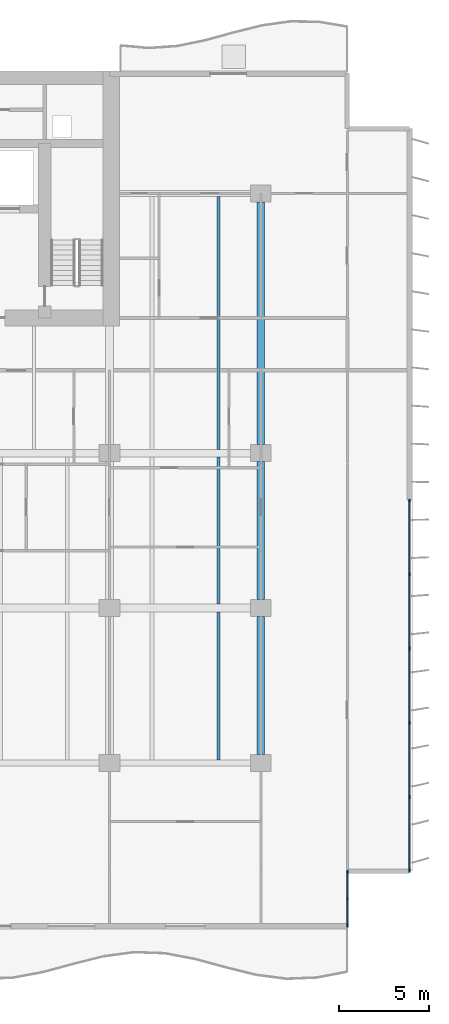
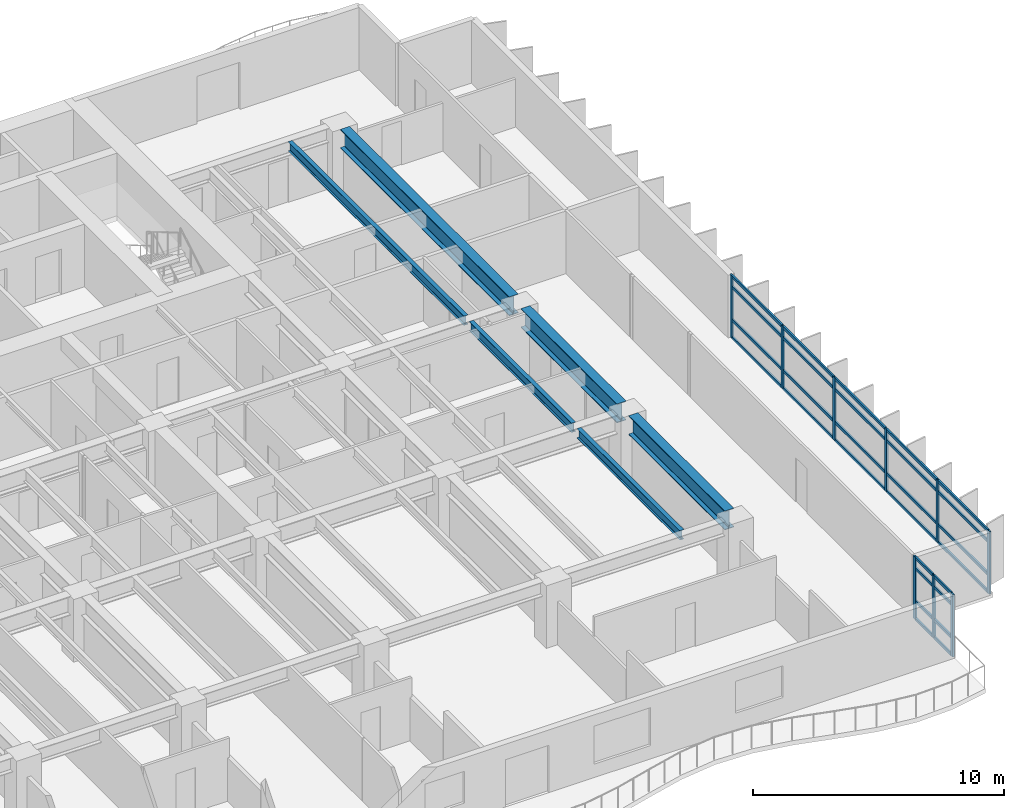
# One storey, part 4 of 18: 37 members, 6 beams, 2 elements without a shape of their own.
"""IFC4 building model written with IfcOpenShell, lengths in metres."""

from ifc_helpers import new_model, si_unit, direction, frame, origin, origin_2d, place, context, subcontext, project, spatial, rectangle, i_section, extrude, material, layer, layer_set, material_profile, profile_set, type_object, element, aggregate, save


model = new_model("IFC4")

# Units and contexts
model_context = context("Model", 3, precision=1e-05, world=origin(), true_north=direction((0.0, 1.0)))
body_context = subcontext(model_context, "Body", "Model", "MODEL_VIEW")
ifc_project = project(units=[si_unit("LENGTHUNIT", "METRE"), si_unit("AREAUNIT", "SQUARE_METRE"), si_unit("VOLUMEUNIT", "CUBIC_METRE"), si_unit("PLANEANGLEUNIT", "RADIAN"), si_unit("MASSUNIT", "GRAM", prefix="KILO")], contexts=[model_context])

# Site, building, storey
site_placement = place(None, origin())
site = spatial("IfcSite", under=ifc_project, at=site_placement, CompositionType="ELEMENT")
building_placement = place(site_placement, origin())
building = spatial("IfcBuilding", under=site, at=building_placement, Name="Caelmar Bay Residences", CompositionType="ELEMENT")
storey_placement = place(building_placement, frame((0.0, 0.0, 43.199951171875)))
storey = spatial("IfcBuildingStorey", under=building, at=storey_placement, Name="L10", CompositionType="ELEMENT", Elevation=43.199951171875)

# Beams
ifc_material_1 = material(Name="Steel ASTM A992 Grade 50", Category="steel")
ifc_material_profile_1 = material_profile(ifc_material_1, i_section(OverallWidth=0.422119140625, OverallDepth=0.925048828125, WebThickness=0.021240234375, FlangeThickness=0.03662109375, FilletRadius=0.020263671875, at=origin_2d()), Name="W36X262")
ifc_profile_set_1 = profile_set([ifc_material_profile_1], Name="Steel ASTM A992 Grade 50")
beam_type_1 = type_object("IfcBeamType", Name="BM-GRD-W36X262", PredefinedType="BEAM", material=ifc_profile_set_1)
beam_1_placement = place(storey_placement, frame((67.89990234375, 12.6650390625, 2.587646484375), z_axis=(0.0, 1.0, 0.0), x_axis=(-1.0, 0.0, 0.0)))
element("IfcBeam", 1, at=beam_1_placement, inside=storey, type_object=beam_type_1, Name="L10 North-South Girder X=67.90 (12.2-20.8)", PredefinedType="BEAM", context=body_context, shape_type="SweptSolid", body=[
    extrude(i_section(OverallWidth=0.422119140625, OverallDepth=0.925048828125, WebThickness=0.021240234375, FlangeThickness=0.03662109375, FilletRadius=0.020263671875, at=origin_2d()), origin(), (0.0, 0.0, 1.0), 7.669921875),
])
beam_2_placement = place(storey_placement, frame((67.89990234375, 21.264892578125, 2.587646484375), z_axis=(0.0, 1.0, 0.0), x_axis=(-1.0, 0.0, 0.0)))
element("IfcBeam", 2, at=beam_2_placement, inside=storey, type_object=beam_type_1, Name="L10 North-South Girder X=67.90 (20.8-29.4)", PredefinedType="BEAM", context=body_context, shape_type="SweptSolid", body=[
    extrude(i_section(OverallWidth=0.422119140625, OverallDepth=0.925048828125, WebThickness=0.021240234375, FlangeThickness=0.03662109375, FilletRadius=0.020263671875, at=origin_2d()), origin(), (0.0, 0.0, 1.0), 7.670166015625),
])
beam_3_placement = place(storey_placement, frame((67.89990234375, 29.864990234375, 2.587646484375), z_axis=(0.0, 1.0, 0.0), x_axis=(-1.0, 0.0, 0.0)))
element("IfcBeam", 3, at=beam_3_placement, inside=storey, type_object=beam_type_1, Name="L10 North-South Girder X=67.90 (29.4-43.8)", PredefinedType="BEAM", context=body_context, shape_type="SweptSolid", body=[
    extrude(i_section(OverallWidth=0.422119140625, OverallDepth=0.925048828125, WebThickness=0.021240234375, FlangeThickness=0.03662109375, FilletRadius=0.020263671875, at=origin_2d()), origin(), (0.0, 0.0, 1.0), 13.469970703125),
])
ifc_material_profile_2 = material_profile(ifc_material_1, i_section(OverallWidth=0.19091796875, OverallDepth=0.45703125, WebThickness=0.009033203125, FlangeThickness=0.014404296875, FilletRadius=0.01025390625, at=origin_2d()), Name="W18X50")
ifc_profile_set_2 = profile_set([ifc_material_profile_2], Name="Steel ASTM A992 Grade 50")
beam_type_2 = type_object("IfcBeamType", Name="BM-JST-W18X50", PredefinedType="JOIST", material=ifc_profile_set_2)
beam_4_placement = place(storey_placement, frame((65.548095703125, 12.3779296875, 2.821533203125), z_axis=(0.0, 1.0, 0.0), x_axis=(-1.0, 0.0, 0.0)))
element("IfcBeam", 4, at=beam_4_placement, inside=storey, type_object=beam_type_2, Name="L10 Composite Floor Joist 14", PredefinedType="JOIST", context=body_context, shape_type="SweptSolid", body=[
    extrude(i_section(OverallWidth=0.19091796875, OverallDepth=0.45703125, WebThickness=0.009033203125, FlangeThickness=0.014404296875, FilletRadius=0.01025390625, at=origin_2d()), origin(), (0.0, 0.0, 1.0), 8.211181640625),
])
beam_5_placement = place(storey_placement, frame((65.548095703125, 21.010986328125, 2.821533203125), z_axis=(0.0, 1.0, 0.0), x_axis=(-1.0, 0.0, 0.0)))
element("IfcBeam", 5, at=beam_5_placement, inside=storey, type_object=beam_type_2, Name="L10 Composite Floor Joist 28", PredefinedType="JOIST", context=body_context, shape_type="SweptSolid", body=[
    extrude(i_section(OverallWidth=0.19091796875, OverallDepth=0.45703125, WebThickness=0.009033203125, FlangeThickness=0.014404296875, FilletRadius=0.01025390625, at=origin_2d()), origin(), (0.0, 0.0, 1.0), 8.177978515625),
])
beam_6_placement = place(storey_placement, frame((65.548095703125, 29.611083984375, 2.821533203125), z_axis=(0.0, 1.0, 0.0), x_axis=(-1.0, 0.0, 0.0)))
element("IfcBeam", 6, at=beam_6_placement, inside=storey, type_object=beam_type_2, Name="L10 Composite Floor Joist 37", PredefinedType="JOIST", context=body_context, shape_type="SweptSolid", body=[
    extrude(i_section(OverallWidth=0.19091796875, OverallDepth=0.45703125, WebThickness=0.009033203125, FlangeThickness=0.014404296875, FilletRadius=0.01025390625, at=origin_2d()), origin(), (0.0, 0.0, 1.0), 14.010986328125),
])

# Curtain wall, members
ifc_material_2 = material(Name="Anodised bronze aluminium 6063-T6 and laminated glass", Category="aluminium")
ifc_layer_1 = layer(ifc_material_2, 0.179931640625)
ifc_layer_set_1 = layer_set([ifc_layer_1], Name="Anodised bronze aluminium 6063-T6 and laminated glass")
curtain_wall_type_1 = type_object("IfcCurtainWallType", Name="CW6-NTC", PredefinedType="NOTDEFINED", material=ifc_layer_set_1)
curtain_wall_1_placement = place(storey_placement, origin())
curtain_wall_1 = element("IfcCurtainWall", 7, at=curtain_wall_1_placement, inside=storey, type_object=curtain_wall_type_1, Name="CW6 curtain wall L10", PredefinedType="NOTDEFINED")
ifc_material_3 = material(Name="Anodised bronze aluminium 6063-T6", Category="aluminium")
ifc_material_profile_3 = material_profile(ifc_material_3, rectangle(XDim=0.080078125, YDim=0.179931640625, at=origin_2d()), Name="CWM-80X180")
ifc_profile_set_3 = profile_set([ifc_material_profile_3], Name="Anodised bronze aluminium 6063-T6")
member_type_1 = type_object("IfcMemberType", Name="CWM-180", PredefinedType="MULLION", material=ifc_profile_set_3)
member_1_placement = place(storey_placement, frame((72.699951171875, 3.18994140625, 0.0), z_axis=(0.0, 0.0, 1.0), x_axis=(-1.0, 0.0, 0.0)))
member_1 = element("IfcMember", 8, at=member_1_placement, type_object=member_type_1, Name="CW6 mullion 1", PredefinedType="MULLION", context=body_context, shape_type="SweptSolid", body=[
    extrude(rectangle(XDim=0.080078125, YDim=0.179931640625, at=origin_2d()), origin(), (0.0, 0.0, 1.0), 3.050048828125),
])
member_2_placement = place(storey_placement, frame((72.699951171875, 4.675048828125, 0.0), z_axis=(0.0, 0.0, 1.0), x_axis=(-1.0, 0.0, 0.0)))
member_2 = element("IfcMember", 9, at=member_2_placement, type_object=member_type_1, Name="CW6 mullion 2", PredefinedType="MULLION", context=body_context, shape_type="SweptSolid", body=[
    extrude(rectangle(XDim=0.080078125, YDim=0.179931640625, at=origin_2d()), origin(), (0.0, 0.0, 1.0), 3.050048828125),
])
member_3_placement = place(storey_placement, frame((72.699951171875, 6.159912109375, 0.0), z_axis=(0.0, 0.0, 1.0), x_axis=(-1.0, 0.0, 0.0)))
member_3 = element("IfcMember", 10, at=member_3_placement, type_object=member_type_1, Name="CW6 mullion 3", PredefinedType="MULLION", context=body_context, shape_type="SweptSolid", body=[
    extrude(rectangle(XDim=0.080078125, YDim=0.179931640625, at=origin_2d()), origin(), (0.0, 0.0, 1.0), 3.050048828125),
])

ifc_layer_2 = layer(ifc_material_2, 0.179931640625)
ifc_layer_set_2 = layer_set([ifc_layer_2], Name="Anodised bronze aluminium 6063-T6 and laminated glass")
curtain_wall_type_2 = type_object("IfcCurtainWallType", Name="CW2-Z1", PredefinedType="NOTDEFINED", material=ifc_layer_set_2)
curtain_wall_2_placement = place(storey_placement, origin())
curtain_wall_2 = element("IfcCurtainWall", 11, at=curtain_wall_2_placement, inside=storey, type_object=curtain_wall_type_2, Name="CW2 curtain wall L10", PredefinedType="NOTDEFINED")
member_4_placement = place(storey_placement, frame((76.14990234375, 26.760009765625, 0.0), z_axis=(0.0, 0.0, 1.0), x_axis=(1.0, 0.0, 0.0)))
member_4 = element("IfcMember", 12, at=member_4_placement, type_object=member_type_1, Name="CW2 mullion 1", PredefinedType="MULLION", context=body_context, shape_type="SweptSolid", body=[
    extrude(rectangle(XDim=0.080078125, YDim=0.179931640625, at=origin_2d()), origin(), (0.0, 0.0, 1.0), 3.050048828125),
])
member_5_placement = place(storey_placement, frame((76.14990234375, 22.679931640625, 0.0), z_axis=(0.0, 0.0, 1.0), x_axis=(1.0, 0.0, 0.0)))
member_5 = element("IfcMember", 13, at=member_5_placement, type_object=member_type_1, Name="CW2 mullion 2", PredefinedType="MULLION", context=body_context, shape_type="SweptSolid", body=[
    extrude(rectangle(XDim=0.080078125, YDim=0.179931640625, at=origin_2d()), origin(), (0.0, 0.0, 1.0), 3.050048828125),
])
member_6_placement = place(storey_placement, frame((76.14990234375, 18.56005859375, 0.0), z_axis=(0.0, 0.0, 1.0), x_axis=(1.0, 0.0, 0.0)))
member_6 = element("IfcMember", 14, at=member_6_placement, type_object=member_type_1, Name="CW2 mullion 3", PredefinedType="MULLION", context=body_context, shape_type="SweptSolid", body=[
    extrude(rectangle(XDim=0.080078125, YDim=0.179931640625, at=origin_2d()), origin(), (0.0, 0.0, 1.0), 3.050048828125),
])
member_7_placement = place(storey_placement, frame((76.14990234375, 14.43994140625, 0.0), z_axis=(0.0, 0.0, 1.0), x_axis=(1.0, 0.0, 0.0)))
member_7 = element("IfcMember", 15, at=member_7_placement, type_object=member_type_1, Name="CW2 mullion 4", PredefinedType="MULLION", context=body_context, shape_type="SweptSolid", body=[
    extrude(rectangle(XDim=0.080078125, YDim=0.179931640625, at=origin_2d()), origin(), (0.0, 0.0, 1.0), 3.050048828125),
])
member_8_placement = place(storey_placement, frame((76.14990234375, 10.320068359375, 0.0), z_axis=(0.0, 0.0, 1.0), x_axis=(1.0, 0.0, 0.0)))
member_8 = element("IfcMember", 16, at=member_8_placement, type_object=member_type_1, Name="CW2 mullion 5", PredefinedType="MULLION", context=body_context, shape_type="SweptSolid", body=[
    extrude(rectangle(XDim=0.080078125, YDim=0.179931640625, at=origin_2d()), origin(), (0.0, 0.0, 1.0), 3.050048828125),
])
member_9_placement = place(storey_placement, frame((76.14990234375, 6.239990234375, 0.0), z_axis=(0.0, 0.0, 1.0), x_axis=(1.0, 0.0, 0.0)))
member_9 = element("IfcMember", 17, at=member_9_placement, type_object=member_type_1, Name="CW2 mullion 6", PredefinedType="MULLION", context=body_context, shape_type="SweptSolid", body=[
    extrude(rectangle(XDim=0.080078125, YDim=0.179931640625, at=origin_2d()), origin(), (0.0, 0.0, 1.0), 3.050048828125),
])

# Member
ifc_material_profile_4 = material_profile(ifc_material_3, rectangle(XDim=0.080078125, YDim=0.139892578125, at=origin_2d()), Name="CWT-80X140")
ifc_profile_set_4 = profile_set([ifc_material_profile_4], Name="Anodised bronze aluminium 6063-T6")
member_type_2 = type_object("IfcMemberType", Name="CWT-140", PredefinedType="NOTDEFINED", material=ifc_profile_set_4)
member_10_placement = place(storey_placement, frame((72.699951171875, 3.22998046875, 0.0400390625), z_axis=(0.0, 1.0, 0.0), x_axis=(-1.0, 0.0, 0.0)))
member_10 = element("IfcMember", 18, at=member_10_placement, type_object=member_type_2, Name="CW6 transom 1.1", ObjectType="TRANSOM", PredefinedType="USERDEFINED", context=body_context, shape_type="SweptSolid", body=[
    extrude(rectangle(XDim=0.080078125, YDim=0.139892578125, at=origin_2d()), origin(), (0.0, 0.0, 1.0), 1.405029296875),
])

member_11_placement = place(storey_placement, frame((72.699951171875, 3.22998046875, 0.900146484375), z_axis=(0.0, 1.0, 0.0), x_axis=(-1.0, 0.0, 0.0)))
member_11 = element("IfcMember", 19, at=member_11_placement, type_object=member_type_2, Name="CW6 transom 1.2", ObjectType="TRANSOM", PredefinedType="USERDEFINED", context=body_context, shape_type="SweptSolid", body=[
    extrude(rectangle(XDim=0.080078125, YDim=0.139892578125, at=origin_2d()), origin(), (0.0, 0.0, 1.0), 1.405029296875),
])

member_12_placement = place(storey_placement, frame((72.699951171875, 3.22998046875, 2.5), z_axis=(0.0, 1.0, 0.0), x_axis=(-1.0, 0.0, 0.0)))
member_12 = element("IfcMember", 20, at=member_12_placement, type_object=member_type_2, Name="CW6 transom 1.3", ObjectType="TRANSOM", PredefinedType="USERDEFINED", context=body_context, shape_type="SweptSolid", body=[
    extrude(rectangle(XDim=0.080078125, YDim=0.139892578125, at=origin_2d()), origin(), (0.0, 0.0, 1.0), 1.405029296875),
])

member_13_placement = place(storey_placement, frame((72.699951171875, 3.22998046875, 3.010009765625), z_axis=(0.0, 1.0, 0.0), x_axis=(-1.0, 0.0, 0.0)))
member_13 = element("IfcMember", 21, at=member_13_placement, type_object=member_type_2, Name="CW6 transom 1.4", ObjectType="TRANSOM", PredefinedType="USERDEFINED", context=body_context, shape_type="SweptSolid", body=[
    extrude(rectangle(XDim=0.080078125, YDim=0.139892578125, at=origin_2d()), origin(), (0.0, 0.0, 1.0), 1.405029296875),
])

member_14_placement = place(storey_placement, frame((72.699951171875, 4.715087890625, 0.0400390625), z_axis=(0.0, 1.0, 0.0), x_axis=(-1.0, 0.0, 0.0)))
member_14 = element("IfcMember", 22, at=member_14_placement, type_object=member_type_2, Name="CW6 transom 2.1", ObjectType="TRANSOM", PredefinedType="USERDEFINED", context=body_context, shape_type="SweptSolid", body=[
    extrude(rectangle(XDim=0.080078125, YDim=0.139892578125, at=origin_2d()), origin(), (0.0, 0.0, 1.0), 1.405029296875),
])

member_15_placement = place(storey_placement, frame((72.699951171875, 4.715087890625, 0.900146484375), z_axis=(0.0, 1.0, 0.0), x_axis=(-1.0, 0.0, 0.0)))
member_15 = element("IfcMember", 23, at=member_15_placement, type_object=member_type_2, Name="CW6 transom 2.2", ObjectType="TRANSOM", PredefinedType="USERDEFINED", context=body_context, shape_type="SweptSolid", body=[
    extrude(rectangle(XDim=0.080078125, YDim=0.139892578125, at=origin_2d()), origin(), (0.0, 0.0, 1.0), 1.405029296875),
])

member_16_placement = place(storey_placement, frame((72.699951171875, 4.715087890625, 2.5), z_axis=(0.0, 1.0, 0.0), x_axis=(-1.0, 0.0, 0.0)))
member_16 = element("IfcMember", 24, at=member_16_placement, type_object=member_type_2, Name="CW6 transom 2.3", ObjectType="TRANSOM", PredefinedType="USERDEFINED", context=body_context, shape_type="SweptSolid", body=[
    extrude(rectangle(XDim=0.080078125, YDim=0.139892578125, at=origin_2d()), origin(), (0.0, 0.0, 1.0), 1.405029296875),
])

member_17_placement = place(storey_placement, frame((72.699951171875, 4.715087890625, 3.010009765625), z_axis=(0.0, 1.0, 0.0), x_axis=(-1.0, 0.0, 0.0)))
member_17 = element("IfcMember", 25, at=member_17_placement, type_object=member_type_2, Name="CW6 transom 2.4", ObjectType="TRANSOM", PredefinedType="USERDEFINED", context=body_context, shape_type="SweptSolid", body=[
    extrude(rectangle(XDim=0.080078125, YDim=0.139892578125, at=origin_2d()), origin(), (0.0, 0.0, 1.0), 1.405029296875),
])

aggregate(curtain_wall_1, [member_1, member_2, member_3, member_10, member_11, member_12, member_13, member_14, member_15, member_16, member_17])

member_18_placement = place(storey_placement, frame((76.14990234375, 26.719970703125, 0.0400390625), z_axis=(0.0, -1.0, 0.0), x_axis=(1.0, 0.0, 0.0)))
member_18 = element("IfcMember", 26, at=member_18_placement, type_object=member_type_2, Name="CW2 transom 1.1", ObjectType="TRANSOM", PredefinedType="USERDEFINED", context=body_context, shape_type="SweptSolid", body=[
    extrude(rectangle(XDim=0.080078125, YDim=0.139892578125, at=origin_2d()), origin(), (0.0, 0.0, 1.0), 4.0),
])

member_19_placement = place(storey_placement, frame((76.14990234375, 26.719970703125, 0.900146484375), z_axis=(0.0, -1.0, 0.0), x_axis=(1.0, 0.0, 0.0)))
member_19 = element("IfcMember", 27, at=member_19_placement, type_object=member_type_2, Name="CW2 transom 1.2", ObjectType="TRANSOM", PredefinedType="USERDEFINED", context=body_context, shape_type="SweptSolid", body=[
    extrude(rectangle(XDim=0.080078125, YDim=0.139892578125, at=origin_2d()), origin(), (0.0, 0.0, 1.0), 4.0),
])

member_20_placement = place(storey_placement, frame((76.14990234375, 26.719970703125, 2.5), z_axis=(0.0, -1.0, 0.0), x_axis=(1.0, 0.0, 0.0)))
member_20 = element("IfcMember", 28, at=member_20_placement, type_object=member_type_2, Name="CW2 transom 1.3", ObjectType="TRANSOM", PredefinedType="USERDEFINED", context=body_context, shape_type="SweptSolid", body=[
    extrude(rectangle(XDim=0.080078125, YDim=0.139892578125, at=origin_2d()), origin(), (0.0, 0.0, 1.0), 4.0),
])

member_21_placement = place(storey_placement, frame((76.14990234375, 26.719970703125, 3.010009765625), z_axis=(0.0, -1.0, 0.0), x_axis=(1.0, 0.0, 0.0)))
member_21 = element("IfcMember", 29, at=member_21_placement, type_object=member_type_2, Name="CW2 transom 1.4", ObjectType="TRANSOM", PredefinedType="USERDEFINED", context=body_context, shape_type="SweptSolid", body=[
    extrude(rectangle(XDim=0.080078125, YDim=0.139892578125, at=origin_2d()), origin(), (0.0, 0.0, 1.0), 4.0),
])

member_22_placement = place(storey_placement, frame((76.14990234375, 22.639892578125, 0.0400390625), z_axis=(0.0, -1.0, 0.0), x_axis=(1.0, 0.0, 0.0)))
member_22 = element("IfcMember", 30, at=member_22_placement, type_object=member_type_2, Name="CW2 transom 2.1", ObjectType="TRANSOM", PredefinedType="USERDEFINED", context=body_context, shape_type="SweptSolid", body=[
    extrude(rectangle(XDim=0.080078125, YDim=0.139892578125, at=origin_2d()), origin(), (0.0, 0.0, 1.0), 4.039794921875),
])

member_23_placement = place(storey_placement, frame((76.14990234375, 22.639892578125, 0.900146484375), z_axis=(0.0, -1.0, 0.0), x_axis=(1.0, 0.0, 0.0)))
member_23 = element("IfcMember", 31, at=member_23_placement, type_object=member_type_2, Name="CW2 transom 2.2", ObjectType="TRANSOM", PredefinedType="USERDEFINED", context=body_context, shape_type="SweptSolid", body=[
    extrude(rectangle(XDim=0.080078125, YDim=0.139892578125, at=origin_2d()), origin(), (0.0, 0.0, 1.0), 4.039794921875),
])

member_24_placement = place(storey_placement, frame((76.14990234375, 22.639892578125, 2.5), z_axis=(0.0, -1.0, 0.0), x_axis=(1.0, 0.0, 0.0)))
member_24 = element("IfcMember", 32, at=member_24_placement, type_object=member_type_2, Name="CW2 transom 2.3", ObjectType="TRANSOM", PredefinedType="USERDEFINED", context=body_context, shape_type="SweptSolid", body=[
    extrude(rectangle(XDim=0.080078125, YDim=0.139892578125, at=origin_2d()), origin(), (0.0, 0.0, 1.0), 4.039794921875),
])

member_25_placement = place(storey_placement, frame((76.14990234375, 22.639892578125, 3.010009765625), z_axis=(0.0, -1.0, 0.0), x_axis=(1.0, 0.0, 0.0)))
member_25 = element("IfcMember", 33, at=member_25_placement, type_object=member_type_2, Name="CW2 transom 2.4", ObjectType="TRANSOM", PredefinedType="USERDEFINED", context=body_context, shape_type="SweptSolid", body=[
    extrude(rectangle(XDim=0.080078125, YDim=0.139892578125, at=origin_2d()), origin(), (0.0, 0.0, 1.0), 4.039794921875),
])

member_26_placement = place(storey_placement, frame((76.14990234375, 18.52001953125, 0.0400390625), z_axis=(0.0, -1.0, 0.0), x_axis=(1.0, 0.0, 0.0)))
member_26 = element("IfcMember", 34, at=member_26_placement, type_object=member_type_2, Name="CW2 transom 3.1", ObjectType="TRANSOM", PredefinedType="USERDEFINED", context=body_context, shape_type="SweptSolid", body=[
    extrude(rectangle(XDim=0.080078125, YDim=0.139892578125, at=origin_2d()), origin(), (0.0, 0.0, 1.0), 4.0400390625),
])

member_27_placement = place(storey_placement, frame((76.14990234375, 18.52001953125, 0.900146484375), z_axis=(0.0, -1.0, 0.0), x_axis=(1.0, 0.0, 0.0)))
member_27 = element("IfcMember", 35, at=member_27_placement, type_object=member_type_2, Name="CW2 transom 3.2", ObjectType="TRANSOM", PredefinedType="USERDEFINED", context=body_context, shape_type="SweptSolid", body=[
    extrude(rectangle(XDim=0.080078125, YDim=0.139892578125, at=origin_2d()), origin(), (0.0, 0.0, 1.0), 4.0400390625),
])

member_28_placement = place(storey_placement, frame((76.14990234375, 18.52001953125, 2.5), z_axis=(0.0, -1.0, 0.0), x_axis=(1.0, 0.0, 0.0)))
member_28 = element("IfcMember", 36, at=member_28_placement, type_object=member_type_2, Name="CW2 transom 3.3", ObjectType="TRANSOM", PredefinedType="USERDEFINED", context=body_context, shape_type="SweptSolid", body=[
    extrude(rectangle(XDim=0.080078125, YDim=0.139892578125, at=origin_2d()), origin(), (0.0, 0.0, 1.0), 4.0400390625),
])

member_29_placement = place(storey_placement, frame((76.14990234375, 18.52001953125, 3.010009765625), z_axis=(0.0, -1.0, 0.0), x_axis=(1.0, 0.0, 0.0)))
member_29 = element("IfcMember", 37, at=member_29_placement, type_object=member_type_2, Name="CW2 transom 3.4", ObjectType="TRANSOM", PredefinedType="USERDEFINED", context=body_context, shape_type="SweptSolid", body=[
    extrude(rectangle(XDim=0.080078125, YDim=0.139892578125, at=origin_2d()), origin(), (0.0, 0.0, 1.0), 4.0400390625),
])

member_30_placement = place(storey_placement, frame((76.14990234375, 14.39990234375, 0.0400390625), z_axis=(0.0, -1.0, 0.0), x_axis=(1.0, 0.0, 0.0)))
member_30 = element("IfcMember", 38, at=member_30_placement, type_object=member_type_2, Name="CW2 transom 4.1", ObjectType="TRANSOM", PredefinedType="USERDEFINED", context=body_context, shape_type="SweptSolid", body=[
    extrude(rectangle(XDim=0.080078125, YDim=0.139892578125, at=origin_2d()), origin(), (0.0, 0.0, 1.0), 4.039794921875),
])

member_31_placement = place(storey_placement, frame((76.14990234375, 14.39990234375, 0.900146484375), z_axis=(0.0, -1.0, 0.0), x_axis=(1.0, 0.0, 0.0)))
member_31 = element("IfcMember", 39, at=member_31_placement, type_object=member_type_2, Name="CW2 transom 4.2", ObjectType="TRANSOM", PredefinedType="USERDEFINED", context=body_context, shape_type="SweptSolid", body=[
    extrude(rectangle(XDim=0.080078125, YDim=0.139892578125, at=origin_2d()), origin(), (0.0, 0.0, 1.0), 4.039794921875),
])

member_32_placement = place(storey_placement, frame((76.14990234375, 14.39990234375, 2.5), z_axis=(0.0, -1.0, 0.0), x_axis=(1.0, 0.0, 0.0)))
member_32 = element("IfcMember", 40, at=member_32_placement, type_object=member_type_2, Name="CW2 transom 4.3", ObjectType="TRANSOM", PredefinedType="USERDEFINED", context=body_context, shape_type="SweptSolid", body=[
    extrude(rectangle(XDim=0.080078125, YDim=0.139892578125, at=origin_2d()), origin(), (0.0, 0.0, 1.0), 4.039794921875),
])

member_33_placement = place(storey_placement, frame((76.14990234375, 14.39990234375, 3.010009765625), z_axis=(0.0, -1.0, 0.0), x_axis=(1.0, 0.0, 0.0)))
member_33 = element("IfcMember", 41, at=member_33_placement, type_object=member_type_2, Name="CW2 transom 4.4", ObjectType="TRANSOM", PredefinedType="USERDEFINED", context=body_context, shape_type="SweptSolid", body=[
    extrude(rectangle(XDim=0.080078125, YDim=0.139892578125, at=origin_2d()), origin(), (0.0, 0.0, 1.0), 4.039794921875),
])

member_34_placement = place(storey_placement, frame((76.14990234375, 10.280029296875, 0.0400390625), z_axis=(0.0, -1.0, 0.0), x_axis=(1.0, 0.0, 0.0)))
member_34 = element("IfcMember", 42, at=member_34_placement, type_object=member_type_2, Name="CW2 transom 5.1", ObjectType="TRANSOM", PredefinedType="USERDEFINED", context=body_context, shape_type="SweptSolid", body=[
    extrude(rectangle(XDim=0.080078125, YDim=0.139892578125, at=origin_2d()), origin(), (0.0, 0.0, 1.0), 4.0),
])

member_35_placement = place(storey_placement, frame((76.14990234375, 10.280029296875, 0.900146484375), z_axis=(0.0, -1.0, 0.0), x_axis=(1.0, 0.0, 0.0)))
member_35 = element("IfcMember", 43, at=member_35_placement, type_object=member_type_2, Name="CW2 transom 5.2", ObjectType="TRANSOM", PredefinedType="USERDEFINED", context=body_context, shape_type="SweptSolid", body=[
    extrude(rectangle(XDim=0.080078125, YDim=0.139892578125, at=origin_2d()), origin(), (0.0, 0.0, 1.0), 4.0),
])

member_36_placement = place(storey_placement, frame((76.14990234375, 10.280029296875, 2.5), z_axis=(0.0, -1.0, 0.0), x_axis=(1.0, 0.0, 0.0)))
member_36 = element("IfcMember", 44, at=member_36_placement, type_object=member_type_2, Name="CW2 transom 5.3", ObjectType="TRANSOM", PredefinedType="USERDEFINED", context=body_context, shape_type="SweptSolid", body=[
    extrude(rectangle(XDim=0.080078125, YDim=0.139892578125, at=origin_2d()), origin(), (0.0, 0.0, 1.0), 4.0),
])

member_37_placement = place(storey_placement, frame((76.14990234375, 10.280029296875, 3.010009765625), z_axis=(0.0, -1.0, 0.0), x_axis=(1.0, 0.0, 0.0)))
member_37 = element("IfcMember", 45, at=member_37_placement, type_object=member_type_2, Name="CW2 transom 5.4", ObjectType="TRANSOM", PredefinedType="USERDEFINED", context=body_context, shape_type="SweptSolid", body=[
    extrude(rectangle(XDim=0.080078125, YDim=0.139892578125, at=origin_2d()), origin(), (0.0, 0.0, 1.0), 4.0),
])

aggregate(curtain_wall_2, [member_4, member_5, member_6, member_7, member_8, member_9, member_18, member_19, member_20, member_21, member_22, member_23, member_24, member_25, member_26, member_27, member_28, member_29, member_30, member_31, member_32, member_33, member_34, member_35, member_36, member_37])

save(model, "model.ifc")
